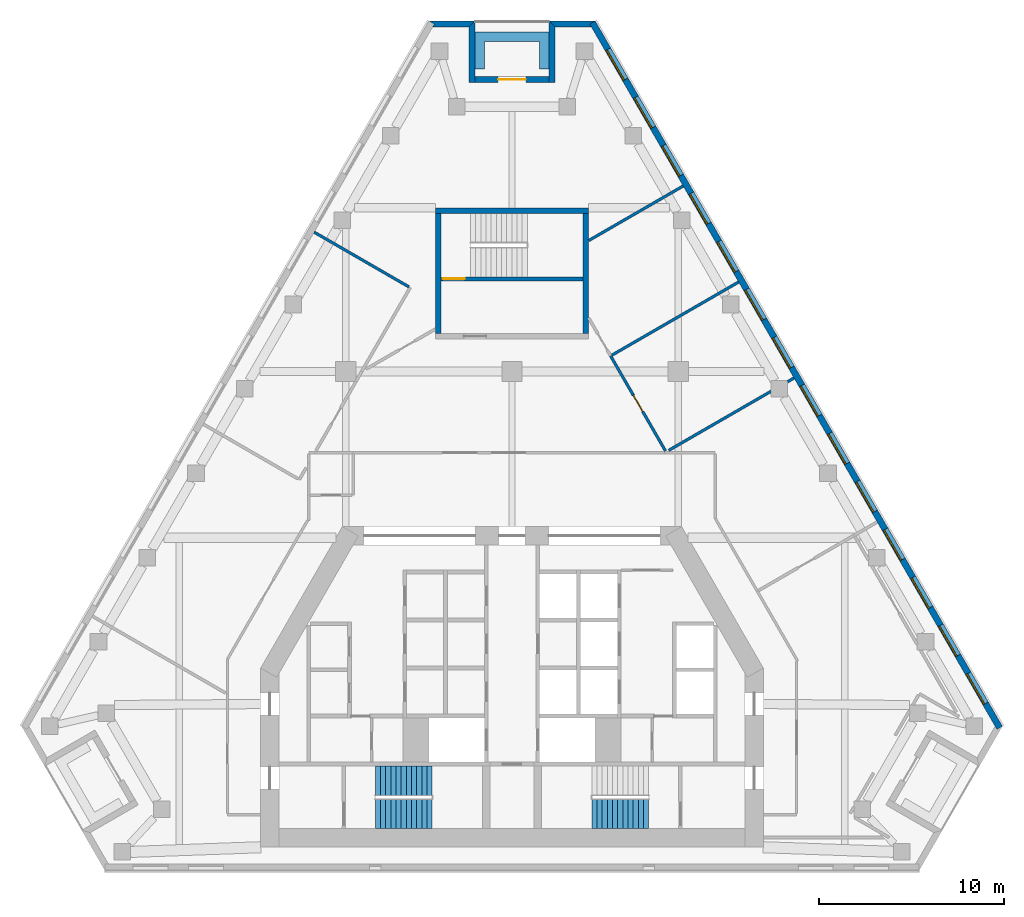
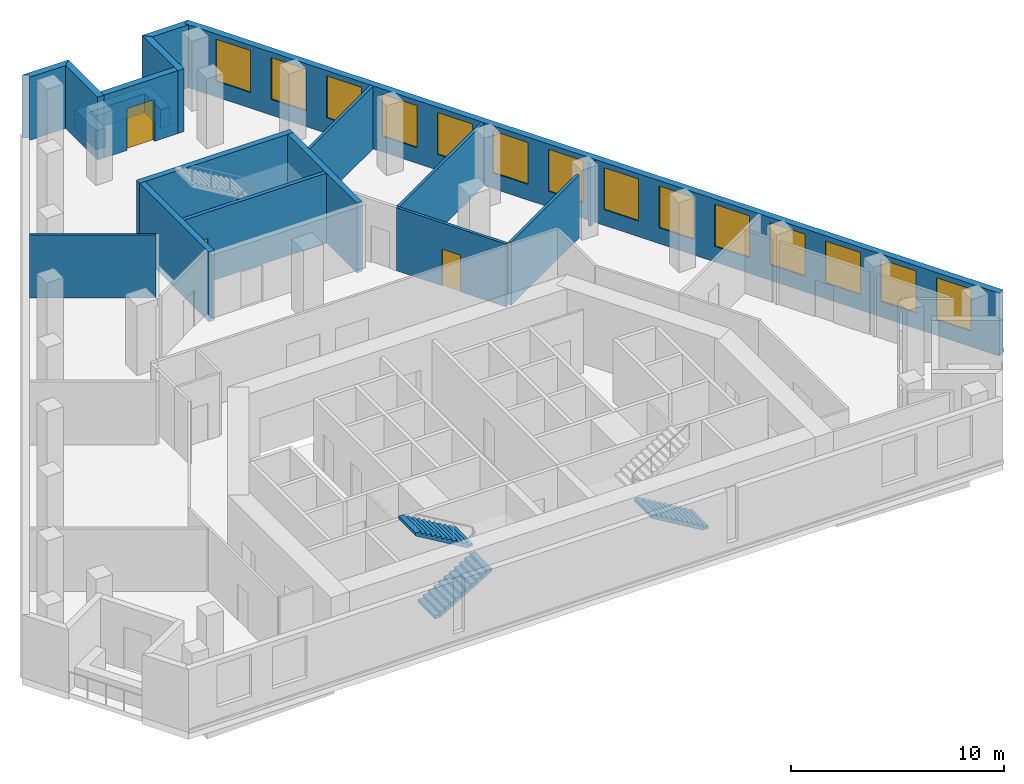
# One storey, part 6 of 8: 17 walls, 14 windows, 3 doors, 3 stair flights, 17 openings, 2 elements without a shape of their own.
"""IFC4 building model written with IfcOpenShell, lengths in metres."""

import ifcopenshell
import ifcopenshell.guid

model = None  # the IFC model being written
_history = None  # IfcOwnerHistory: only IFC2X3 demands one
_inside = {}  # id of a spatial element -> (the spatial element, [elements in it])
_under = {}  # id of a project, library or spatial element -> (it, [spatial elements below it])
_declared = {}  # id of a project -> (the project, [libraries it declares])
_typed = {}  # id of a type object -> (the type object, [elements of that type])
_made_of = {}  # id of a material, layer set ... -> (it, [elements and type objects made of it])


def new_model(schema):
    """Start an empty IFC model of exactly this schema.

    Asked for "IFC4X3", IfcOpenShell would pick the latest addendum, in which some entities
    have other attributes; the version numbers below select the first issue.
    IFC2X3 requires an IfcOwnerHistory on every rooted entity: one is made here for all.
    """
    global model, _history
    if schema == "IFC4X3":
        model = ifcopenshell.file(schema_version=(4, 3, 0, 0))
    else:
        model = ifcopenshell.file(schema=schema)
    _inside.clear()
    _under.clear()
    _declared.clear()
    _typed.clear()
    _made_of.clear()
    _history = None
    if model.schema == "IFC2X3":
        org = make("IfcOrganization", Name="unknown")
        user = make(
            "IfcPersonAndOrganization",
            ThePerson=make("IfcPerson", FamilyName="unknown"),
            TheOrganization=org,
        )
        app = make(
            "IfcApplication",
            ApplicationDeveloper=org,
            Version="unknown",
            ApplicationFullName="unknown",
            ApplicationIdentifier="unknown",
        )
        _history = make(
            "IfcOwnerHistory",
            OwningUser=user,
            OwningApplication=app,
            ChangeAction="ADDED",
            CreationDate=0,
        )
    return model


def make(cls, **values):
    """One entity of the class cls with the attributes given. An attribute that is None is left unset."""
    return model.create_entity(
        cls, **{name: value for name, value in values.items() if value is not None}
    )


def rooted(cls, **values):
    """An entity with a GlobalId (a new one), such as an element, a storey or a relation."""
    return make(cls, GlobalId=ifcopenshell.guid.new(), OwnerHistory=_history, **values)


def si_unit(unit_type, name, prefix=None):
    """IfcSIUnit, for example si_unit("LENGTHUNIT", "METRE", prefix="MILLI")."""
    return make("IfcSIUnit", UnitType=unit_type, Prefix=prefix, Name=name)


def assignment(units):
    """IfcUnitAssignment: the units of a project."""
    return None if units is None else make("IfcUnitAssignment", Units=units)


def point(xyz):
    """IfcCartesianPoint."""
    return None if xyz is None else make("IfcCartesianPoint", Coordinates=xyz)


def direction(xyz):
    """IfcDirection."""
    return None if xyz is None else make("IfcDirection", DirectionRatios=xyz)


def frame(location, z_axis=None, x_axis=None):
    """IfcAxis2Placement3D, a coordinate frame: its origin and axes. An axis left out is left unset."""
    return make(
        "IfcAxis2Placement3D",
        Location=point(location),
        Axis=direction(z_axis),
        RefDirection=direction(x_axis),
    )


def frame_2d(location, x_axis=None):
    """IfcAxis2Placement2D, a coordinate frame in the plane: its origin and x axis."""
    return make(
        "IfcAxis2Placement2D", Location=point(location), RefDirection=direction(x_axis)
    )


def origin():
    """The frame at (0, 0, 0) with its axes left unset."""
    return frame((0.0, 0.0, 0.0))


def place(relative_to, where):
    """IfcLocalPlacement: puts the frame where relative to a parent placement (None: the world)."""
    return make(
        "IfcLocalPlacement", PlacementRelTo=relative_to, RelativePlacement=where
    )


def context(
    kind, dimensions, precision=None, world=None, true_north=None, identifier=None
):
    """IfcGeometricRepresentationContext, for example the 3D "Model" context."""
    return make(
        "IfcGeometricRepresentationContext",
        ContextIdentifier=identifier,
        ContextType=kind,
        CoordinateSpaceDimension=dimensions,
        Precision=precision,
        WorldCoordinateSystem=world,
        TrueNorth=true_north,
    )


def subcontext(parent, identifier, kind, view, scale=None):
    """IfcGeometricRepresentationSubContext, for example "Body" below "Model"."""
    return make(
        "IfcGeometricRepresentationSubContext",
        ContextIdentifier=identifier,
        ContextType=kind,
        ParentContext=parent,
        TargetScale=scale,
        TargetView=view,
    )


def project(units=None, contexts=None):
    """IfcProject with its units and contexts."""
    return rooted(
        "IfcProject",
        Name="project",
        RepresentationContexts=contexts,
        UnitsInContext=assignment(units),
    )


def spatial(cls, under=None, at=None, **own):
    """A site, building, storey or space (cls), placed at a placement, below another one or the project."""
    s = rooted(cls, ObjectPlacement=at, **own)
    if under is not None:
        _under.setdefault(under.id(), (under, []))[1].append(s)
    return s


def polyline(points):
    """IfcPolyline through the points."""
    return make("IfcPolyline", Points=[point(p) for p in points])


def profile(cls, at=None, kind="AREA", **sizes):
    """A parametric profile (cls). Its sizes go by their IFC names, for example OverallWidth=200.0."""
    return make(cls, ProfileType=kind, Position=at, **sizes)


def rectangle(**sizes):
    """IfcRectangleProfileDef."""
    return profile("IfcRectangleProfileDef", **sizes)


def outline(outer, holes=None, kind="AREA"):
    """IfcArbitraryClosedProfileDef: a profile drawn as a closed curve; with holes, ...WithVoids."""
    if holes is None:
        return make("IfcArbitraryClosedProfileDef", ProfileType=kind, OuterCurve=outer)
    return make(
        "IfcArbitraryProfileDefWithVoids",
        ProfileType=kind,
        OuterCurve=outer,
        InnerCurves=holes,
    )


def extrude(swept, where, along, depth):
    """IfcExtrudedAreaSolid: the profile swept, set in the frame where, extruded along a direction by depth."""
    return make(
        "IfcExtrudedAreaSolid",
        SweptArea=swept,
        Position=where,
        ExtrudedDirection=direction(along),
        Depth=depth,
    )


def shape(context_of_items, identifier, shape_type, items):
    """IfcShapeRepresentation: the items that make up one representation, for example the "Body"."""
    return make(
        "IfcShapeRepresentation",
        ContextOfItems=context_of_items,
        RepresentationIdentifier=identifier,
        RepresentationType=shape_type,
        Items=items,
    )


def material(Name=None, Category=None):
    """IfcMaterial."""
    return make("IfcMaterial", Name=Name, Category=Category)


def layer(
    of_material, thickness, ventilated=None, Name=None, Category=None, Priority=None
):
    """IfcMaterialLayer: one layer of a wall or slab, of a material (None: an air gap)."""
    return make(
        "IfcMaterialLayer",
        Material=of_material,
        LayerThickness=thickness,
        IsVentilated=ventilated,
        Name=Name,
        Category=Category,
        Priority=Priority,
    )


def layer_set(layers, Name=None):
    """IfcMaterialLayerSet."""
    return make("IfcMaterialLayerSet", MaterialLayers=layers, LayerSetName=Name)


def made_of(thing, what):
    """Note that an element or type object is made of a material, layer set ...; save() writes the relation."""
    if what is not None:
        _made_of.setdefault(what.id(), (what, []))[1].append(thing)
    return thing


def type_object(cls, material=None, **own):
    """A type object (cls), such as IfcWallType, which elements share."""
    return made_of(rooted(cls, **own), material)


def element(
    cls,
    number,
    at=None,
    inside=None,
    cuts=None,
    type_object=None,
    material=None,
    context=None,
    identifier="Body",
    shape_type=None,
    held_by="IfcProductDefinitionShape",
    body=None,
    shapes=None,
    **own,
):
    """One element of the class cls, such as IfcWall. Its Tag is "e" and its number.

    at: its placement. inside: the storey or other place that contains it. cuts: it is an
    opening in that element (IfcRelVoidsElement). A single representation is given by context,
    identifier, shape_type and body (its items); several are given by shapes. held_by: the class
    of the entity that holds the representations. save() writes the other relations.
    """
    e = rooted(cls, Tag="e%d" % number, ObjectPlacement=at, **own)
    if body is not None:
        shapes = [shape(context, identifier, shape_type, body)]
    if shapes is not None:
        e.Representation = make(held_by, Representations=shapes)
    if inside is not None:
        _inside.setdefault(inside.id(), (inside, []))[1].append(e)
    if cuts is not None:
        rooted(
            "IfcRelVoidsElement", RelatingBuildingElement=cuts, RelatedOpeningElement=e
        )
    if type_object is not None:
        _typed.setdefault(type_object.id(), (type_object, []))[1].append(e)
    return made_of(e, material)


def fill(opening, filler):
    """IfcRelFillsElement: the door or window that sits in an opening."""
    return rooted(
        "IfcRelFillsElement",
        RelatingOpeningElement=opening,
        RelatedBuildingElement=filler,
    )


def aggregate(whole, parts):
    """IfcRelAggregates: a whole, such as a stair, and the parts it consists of."""
    return rooted("IfcRelAggregates", RelatingObject=whole, RelatedObjects=parts)


def save(model, path):
    """Write the relations noted so far, then the file.

    IfcRelAggregates (storeys below a building ...), IfcRelContainedInSpatialStructure (elements
    in a storey), IfcRelDefinesByType, IfcRelAssociatesMaterial and IfcRelDeclares: one each for
    every whole, place, type object, material and project.
    """
    for whole, parts in _under.values():
        aggregate(whole, parts)
    for where, things in _inside.values():
        rooted(
            "IfcRelContainedInSpatialStructure",
            RelatedElements=things,
            RelatingStructure=where,
        )
    for kind, things in _typed.values():
        rooted("IfcRelDefinesByType", RelatedObjects=things, RelatingType=kind)
    for what, things in _made_of.values():
        rooted("IfcRelAssociatesMaterial", RelatedObjects=things, RelatingMaterial=what)
    for by, libraries in _declared.values():
        rooted("IfcRelDeclares", RelatingContext=by, RelatedDefinitions=libraries)
    model.write(path)


model = new_model("IFC4")

# Units and contexts
model_context = context("Model", 3, precision=1e-05, world=origin(), true_north=direction((0.0, 1.0)))
body_context = subcontext(model_context, "Body", "Model", "MODEL_VIEW")
ifc_project = project(units=[si_unit("LENGTHUNIT", "METRE"), si_unit("AREAUNIT", "SQUARE_METRE"), si_unit("VOLUMEUNIT", "CUBIC_METRE"), si_unit("PLANEANGLEUNIT", "RADIAN"), si_unit("MASSUNIT", "GRAM", prefix="KILO")], contexts=[model_context])

# Site, building, storey
site_placement = place(None, origin())
site = spatial("IfcSite", under=ifc_project, at=site_placement, CompositionType="ELEMENT")
building_placement = place(site_placement, origin())
building = spatial("IfcBuilding", under=site, at=building_placement, Name="Fogline Exchange Tower", CompositionType="ELEMENT")
storey_placement = place(building_placement, frame((0.0, 0.0, 235.5)))
storey = spatial("IfcBuildingStorey", under=building, at=storey_placement, Name="L53", CompositionType="ELEMENT", Elevation=235.5)

# Wall, opening, door
ifc_material_1 = material(Name="Concrete C40", Category="concrete")
ifc_layer_1 = layer(ifc_material_1, 0.199951171875)
ifc_layer_set_1 = layer_set([ifc_layer_1], Name="CW20R")
wall_type_1 = type_object("IfcWallType", Name="CW20R", PredefinedType="SOLIDWALL", material=ifc_layer_set_1)
wall_1_placement = place(storey_placement, frame((-3.85009765625, 32.007080078125, -0.39990234375), z_axis=(0.0, 0.0, 1.0), x_axis=(1.0, 0.0, 0.0)))
wall_1 = element("IfcWall", 1, at=wall_1_placement, inside=storey, type_object=wall_type_1, Name="Stair enclosure wall ST3", PredefinedType="SOLIDWALL", context=body_context, shape_type="SweptSolid", body=[
    extrude(rectangle(XDim=7.7001953125, YDim=0.199951171875, at=frame_2d((3.85009765625, 0.0))), origin(), (0.0, 0.0, 1.0), 4.0),
])
opening_1_placement = place(wall_1_placement, frame((0.10009765625, 0.0, 0.39990234375)))
opening_1 = element("IfcOpeningElement", 2, at=opening_1_placement, cuts=wall_1, Name="Opening T17-C026", PredefinedType="OPENING", context=body_context, shape_type="SweptSolid", body=[
    extrude(rectangle(XDim=1.199951171875, YDim=2.10009765625, at=frame_2d((0.60009765625, 1.050048828125))), frame((0.0, 0.10986328125, 0.0), z_axis=(0.0, -1.0, 0.0), x_axis=(1.0, 0.0, 0.0)), (0.0, 0.0, 1.0), 0.219970703125),
])
ifc_material_2 = material(Name="Steel and timber fire door", Category="steel")
door_type_1 = type_object("IfcDoorType", Name="D-ST1", OperationType="SINGLE_SWING_LEFT", PredefinedType="DOOR", material=ifc_material_2)
door_1_placement = place(opening_1_placement, origin())
door_1 = element("IfcDoor", 3, at=door_1_placement, inside=storey, type_object=door_type_1, Name="Stair door ST3", OperationType="SINGLE_SWING_LEFT", OverallHeight=2.10009765625, OverallWidth=1.199951171875, PredefinedType="DOOR", context=body_context, shape_type="SweptSolid", body=[
    extrude(rectangle(XDim=1.199951171875, YDim=2.10009765625, at=frame_2d((0.60009765625, 1.050048828125))), frame((0.0, 0.02490234375, 0.0), z_axis=(0.0, -1.0, 0.0), x_axis=(1.0, 0.0, 0.0)), (0.0, 0.0, 1.0), 0.050048828125),
])
fill(opening_1, door_1)

# Walls
ifc_layer_2 = layer(ifc_material_1, 0.300048828125)
ifc_layer_set_2 = layer_set([ifc_layer_2], Name="CW30")
wall_type_2 = type_object("IfcWallType", Name="CW30", PredefinedType="SOLIDWALL", material=ifc_layer_set_2)
wall_2_placement = place(storey_placement, frame((-4.14990234375, 35.70703125, -0.39990234375), z_axis=(0.0, 0.0, 1.0), x_axis=(1.0, 0.0, 0.0)))
element("IfcWall", 4, at=wall_2_placement, inside=storey, type_object=wall_type_2, Name="Stair enclosure wall ST3", PredefinedType="SOLIDWALL", context=body_context, shape_type="SweptSolid", body=[
    extrude(rectangle(XDim=8.2998046875, YDim=0.300048828125, at=frame_2d((4.14990234375, 0.0))), origin(), (0.0, 0.0, 1.0), 4.0),
])
for number, where, z_axis, x_axis, name in (
    (5, (-4.0, 29.056884765625, -0.39990234375), (0.0, 0.0, 1.0), (0.0, 1.0, 0.0), "Stair enclosure wall ST3"),
    (6, (4.0, 29.056884765625, -0.39990234375), (0.0, 0.0, 1.0), (0.0, 1.0, 0.0), "Stair enclosure wall ST3"),
):
    element("IfcWall", number, at=place(storey_placement, frame(where, z_axis=z_axis, x_axis=x_axis)), inside=storey, type_object=wall_type_2, Name=name, PredefinedType="SOLIDWALL", context=body_context, shape_type="SweptSolid", body=[
        extrude(rectangle(XDim=6.5, YDim=0.300048828125, at=frame_2d((3.25, 0.0))), origin(), (0.0, 0.0, 1.0), 4.0),
    ])

# Wall, openings, windows
ifc_material_3 = material(Name="Brick masonry", Category="masonry")
ifc_layer_3 = layer(ifc_material_3, 0.340087890625)
ifc_layer_set_3 = layer_set([ifc_layer_3], Name="FW1")
wall_type_3 = type_object("IfcWallType", Name="FW1", PredefinedType="SOLIDWALL", material=ifc_layer_set_3)
wall_3_placement = place(storey_placement, frame((26.39453125, 7.709228515625, 0.0), z_axis=(0.0, 0.0, 1.0), x_axis=(-0.499999383836, 0.866025759527, 0.0)))
wall_3 = element("IfcWall", 7, at=wall_3_placement, inside=storey, type_object=wall_type_3, Name="Brick wall L53 E", PredefinedType="SOLIDWALL", context=body_context, shape_type="SweptSolid", body=[
    extrude(rectangle(XDim=44.08349609375, YDim=0.340087890625, at=frame_2d((22.041748046875, 0.0))), origin(), (0.0, 0.0, 1.0), 3.60009765625),
])
opening_2_placement = place(wall_3_placement, frame((1.520751953125, 0.0, 0.89990234375)))
opening_2 = element("IfcOpeningElement", 8, at=opening_2_placement, cuts=wall_3, Name="Opening W1", PredefinedType="OPENING", context=body_context, shape_type="SweptSolid", body=[
    extrude(rectangle(XDim=1.885009765625, YDim=2.39990234375, at=frame_2d((0.9423828125, 1.199951171875))), frame((0.0, 0.18017578125, 0.0), z_axis=(0.0, -1.0, 0.0), x_axis=(1.0, 0.0, 0.0)), (0.0, 0.0, 1.0), 0.360107421875),
])
opening_3_placement = place(wall_3_placement, frame((4.520751953125, 0.0, 0.89990234375)))
opening_3 = element("IfcOpeningElement", 9, at=opening_3_placement, cuts=wall_3, Name="Opening W1", PredefinedType="OPENING", context=body_context, shape_type="SweptSolid", body=[
    extrude(rectangle(XDim=1.885009765625, YDim=2.39990234375, at=frame_2d((0.9423828125, 1.199951171875))), frame((0.0, 0.18017578125, 0.0), z_axis=(0.0, -1.0, 0.0), x_axis=(1.0, 0.0, 0.0)), (0.0, 0.0, 1.0), 0.360107421875),
])
opening_4_placement = place(wall_3_placement, frame((7.520751953125, 0.0, 0.89990234375)))
opening_4 = element("IfcOpeningElement", 10, at=opening_4_placement, cuts=wall_3, Name="Opening W1", PredefinedType="OPENING", context=body_context, shape_type="SweptSolid", body=[
    extrude(rectangle(XDim=1.885009765625, YDim=2.39990234375, at=frame_2d((0.9423828125, 1.199951171875))), frame((0.0, 0.18017578125, 0.0), z_axis=(0.0, -1.0, 0.0), x_axis=(1.0, 0.0, 0.0)), (0.0, 0.0, 1.0), 0.360107421875),
])
opening_5_placement = place(wall_3_placement, frame((10.520751953125, 0.0, 0.89990234375)))
opening_5 = element("IfcOpeningElement", 11, at=opening_5_placement, cuts=wall_3, Name="Opening W1", PredefinedType="OPENING", context=body_context, shape_type="SweptSolid", body=[
    extrude(rectangle(XDim=1.885009765625, YDim=2.39990234375, at=frame_2d((0.9423828125, 1.199951171875))), frame((0.0, 0.18017578125, 0.0), z_axis=(0.0, -1.0, 0.0), x_axis=(1.0, 0.0, 0.0)), (0.0, 0.0, 1.0), 0.360107421875),
])
opening_6_placement = place(wall_3_placement, frame((13.520751953125, 0.0, 0.89990234375)))
opening_6 = element("IfcOpeningElement", 12, at=opening_6_placement, cuts=wall_3, Name="Opening W1", PredefinedType="OPENING", context=body_context, shape_type="SweptSolid", body=[
    extrude(rectangle(XDim=1.885009765625, YDim=2.39990234375, at=frame_2d((0.9423828125, 1.199951171875))), frame((0.0, 0.18017578125, 0.0), z_axis=(0.0, -1.0, 0.0), x_axis=(1.0, 0.0, 0.0)), (0.0, 0.0, 1.0), 0.360107421875),
])
opening_7_placement = place(wall_3_placement, frame((16.520751953125, 0.0, 0.89990234375)))
opening_7 = element("IfcOpeningElement", 13, at=opening_7_placement, cuts=wall_3, Name="Opening W1", PredefinedType="OPENING", context=body_context, shape_type="SweptSolid", body=[
    extrude(rectangle(XDim=1.885009765625, YDim=2.39990234375, at=frame_2d((0.9423828125, 1.199951171875))), frame((0.0, 0.18017578125, 0.0), z_axis=(0.0, -1.0, 0.0), x_axis=(1.0, 0.0, 0.0)), (0.0, 0.0, 1.0), 0.360107421875),
])
opening_8_placement = place(wall_3_placement, frame((19.520751953125, 0.0, 0.89990234375)))
opening_8 = element("IfcOpeningElement", 14, at=opening_8_placement, cuts=wall_3, Name="Opening W1", PredefinedType="OPENING", context=body_context, shape_type="SweptSolid", body=[
    extrude(rectangle(XDim=1.885009765625, YDim=2.39990234375, at=frame_2d((0.9423828125, 1.199951171875))), frame((0.0, 0.18017578125, 0.0), z_axis=(0.0, -1.0, 0.0), x_axis=(1.0, 0.0, 0.0)), (0.0, 0.0, 1.0), 0.360107421875),
])
opening_9_placement = place(wall_3_placement, frame((22.520751953125, 0.0, 0.89990234375)))
opening_9 = element("IfcOpeningElement", 15, at=opening_9_placement, cuts=wall_3, Name="Opening W1", PredefinedType="OPENING", context=body_context, shape_type="SweptSolid", body=[
    extrude(rectangle(XDim=1.885009765625, YDim=2.39990234375, at=frame_2d((0.9423828125, 1.199951171875))), frame((0.0, 0.18017578125, 0.0), z_axis=(0.0, -1.0, 0.0), x_axis=(1.0, 0.0, 0.0)), (0.0, 0.0, 1.0), 0.360107421875),
])
opening_10_placement = place(wall_3_placement, frame((25.520751953125, 0.0, 0.89990234375)))
opening_10 = element("IfcOpeningElement", 16, at=opening_10_placement, cuts=wall_3, Name="Opening W1", PredefinedType="OPENING", context=body_context, shape_type="SweptSolid", body=[
    extrude(rectangle(XDim=1.885009765625, YDim=2.39990234375, at=frame_2d((0.9423828125, 1.199951171875))), frame((0.0, 0.18017578125, 0.0), z_axis=(0.0, -1.0, 0.0), x_axis=(1.0, 0.0, 0.0)), (0.0, 0.0, 1.0), 0.360107421875),
])
opening_11_placement = place(wall_3_placement, frame((28.520751953125, 0.0, 0.89990234375)))
opening_11 = element("IfcOpeningElement", 17, at=opening_11_placement, cuts=wall_3, Name="Opening W1", PredefinedType="OPENING", context=body_context, shape_type="SweptSolid", body=[
    extrude(rectangle(XDim=1.885009765625, YDim=2.39990234375, at=frame_2d((0.9423828125, 1.199951171875))), frame((0.0, 0.18017578125, 0.0), z_axis=(0.0, -1.0, 0.0), x_axis=(1.0, 0.0, 0.0)), (0.0, 0.0, 1.0), 0.360107421875),
])
opening_12_placement = place(wall_3_placement, frame((31.520751953125, 0.0, 0.89990234375)))
opening_12 = element("IfcOpeningElement", 18, at=opening_12_placement, cuts=wall_3, Name="Opening W1", PredefinedType="OPENING", context=body_context, shape_type="SweptSolid", body=[
    extrude(rectangle(XDim=1.885009765625, YDim=2.39990234375, at=frame_2d((0.9423828125, 1.199951171875))), frame((0.0, 0.18017578125, 0.0), z_axis=(0.0, -1.0, 0.0), x_axis=(1.0, 0.0, 0.0)), (0.0, 0.0, 1.0), 0.360107421875),
])
opening_13_placement = place(wall_3_placement, frame((34.520751953125, 0.0, 0.89990234375)))
opening_13 = element("IfcOpeningElement", 19, at=opening_13_placement, cuts=wall_3, Name="Opening W1", PredefinedType="OPENING", context=body_context, shape_type="SweptSolid", body=[
    extrude(rectangle(XDim=1.885009765625, YDim=2.39990234375, at=frame_2d((0.9423828125, 1.199951171875))), frame((0.0, 0.18017578125, 0.0), z_axis=(0.0, -1.0, 0.0), x_axis=(1.0, 0.0, 0.0)), (0.0, 0.0, 1.0), 0.360107421875),
])
opening_14_placement = place(wall_3_placement, frame((37.520751953125, 0.0, 0.89990234375)))
opening_14 = element("IfcOpeningElement", 20, at=opening_14_placement, cuts=wall_3, Name="Opening W1", PredefinedType="OPENING", context=body_context, shape_type="SweptSolid", body=[
    extrude(rectangle(XDim=1.885009765625, YDim=2.39990234375, at=frame_2d((0.9423828125, 1.199951171875))), frame((0.0, 0.18017578125, 0.0), z_axis=(0.0, -1.0, 0.0), x_axis=(1.0, 0.0, 0.0)), (0.0, 0.0, 1.0), 0.360107421875),
])
opening_15_placement = place(wall_3_placement, frame((40.520751953125, 0.0, 0.89990234375)))
opening_15 = element("IfcOpeningElement", 21, at=opening_15_placement, cuts=wall_3, Name="Opening W1", PredefinedType="OPENING", context=body_context, shape_type="SweptSolid", body=[
    extrude(rectangle(XDim=1.885009765625, YDim=2.39990234375, at=frame_2d((0.9423828125, 1.199951171875))), frame((0.0, 0.18017578125, 0.0), z_axis=(0.0, -1.0, 0.0), x_axis=(1.0, 0.0, 0.0)), (0.0, 0.0, 1.0), 0.360107421875),
])
ifc_material_4 = material(Name="Aluminium and glass", Category="aluminium")
window_type = type_object("IfcWindowType", Name="W1", PartitioningType="SINGLE_PANEL", PredefinedType="WINDOW", material=ifc_material_4)
window_1_placement = place(opening_2_placement, origin())
window_1 = element("IfcWindow", 22, at=window_1_placement, inside=storey, type_object=window_type, Name="W1 W1", OverallHeight=2.39990234375, OverallWidth=1.885009765625, PartitioningType="SINGLE_PANEL", PredefinedType="WINDOW", context=body_context, shape_type="SweptSolid", body=[
    extrude(rectangle(XDim=1.885009765625, YDim=2.39990234375, at=frame_2d((0.9423828125, 1.199951171875))), frame((0.0, 0.110107421875, 0.0), z_axis=(0.0, -1.0, 0.0), x_axis=(1.0, 0.0, 0.0)), (0.0, 0.0, 1.0), 0.06005859375),
])
fill(opening_2, window_1)
window_2_placement = place(opening_3_placement, origin())
window_2 = element("IfcWindow", 23, at=window_2_placement, inside=storey, type_object=window_type, Name="W1 W1", OverallHeight=2.39990234375, OverallWidth=1.885009765625, PartitioningType="SINGLE_PANEL", PredefinedType="WINDOW", context=body_context, shape_type="SweptSolid", body=[
    extrude(rectangle(XDim=1.885009765625, YDim=2.39990234375, at=frame_2d((0.9423828125, 1.199951171875))), frame((0.0, 0.110107421875, 0.0), z_axis=(0.0, -1.0, 0.0), x_axis=(1.0, 0.0, 0.0)), (0.0, 0.0, 1.0), 0.06005859375),
])
fill(opening_3, window_2)
window_3_placement = place(opening_4_placement, origin())
window_3 = element("IfcWindow", 24, at=window_3_placement, inside=storey, type_object=window_type, Name="W1 W1", OverallHeight=2.39990234375, OverallWidth=1.885009765625, PartitioningType="SINGLE_PANEL", PredefinedType="WINDOW", context=body_context, shape_type="SweptSolid", body=[
    extrude(rectangle(XDim=1.885009765625, YDim=2.39990234375, at=frame_2d((0.9423828125, 1.199951171875))), frame((0.0, 0.110107421875, 0.0), z_axis=(0.0, -1.0, 0.0), x_axis=(1.0, 0.0, 0.0)), (0.0, 0.0, 1.0), 0.06005859375),
])
fill(opening_4, window_3)
window_4_placement = place(opening_5_placement, origin())
window_4 = element("IfcWindow", 25, at=window_4_placement, inside=storey, type_object=window_type, Name="W1 W1", OverallHeight=2.39990234375, OverallWidth=1.885009765625, PartitioningType="SINGLE_PANEL", PredefinedType="WINDOW", context=body_context, shape_type="SweptSolid", body=[
    extrude(rectangle(XDim=1.885009765625, YDim=2.39990234375, at=frame_2d((0.9423828125, 1.199951171875))), frame((0.0, 0.110107421875, 0.0), z_axis=(0.0, -1.0, 0.0), x_axis=(1.0, 0.0, 0.0)), (0.0, 0.0, 1.0), 0.06005859375),
])
fill(opening_5, window_4)
window_5_placement = place(opening_6_placement, origin())
window_5 = element("IfcWindow", 26, at=window_5_placement, inside=storey, type_object=window_type, Name="W1 W1", OverallHeight=2.39990234375, OverallWidth=1.885009765625, PartitioningType="SINGLE_PANEL", PredefinedType="WINDOW", context=body_context, shape_type="SweptSolid", body=[
    extrude(rectangle(XDim=1.885009765625, YDim=2.39990234375, at=frame_2d((0.9423828125, 1.199951171875))), frame((0.0, 0.110107421875, 0.0), z_axis=(0.0, -1.0, 0.0), x_axis=(1.0, 0.0, 0.0)), (0.0, 0.0, 1.0), 0.06005859375),
])
fill(opening_6, window_5)
window_6_placement = place(opening_7_placement, origin())
window_6 = element("IfcWindow", 27, at=window_6_placement, inside=storey, type_object=window_type, Name="W1 W1", OverallHeight=2.39990234375, OverallWidth=1.885009765625, PartitioningType="SINGLE_PANEL", PredefinedType="WINDOW", context=body_context, shape_type="SweptSolid", body=[
    extrude(rectangle(XDim=1.885009765625, YDim=2.39990234375, at=frame_2d((0.9423828125, 1.199951171875))), frame((0.0, 0.110107421875, 0.0), z_axis=(0.0, -1.0, 0.0), x_axis=(1.0, 0.0, 0.0)), (0.0, 0.0, 1.0), 0.06005859375),
])
fill(opening_7, window_6)
window_7_placement = place(opening_8_placement, origin())
window_7 = element("IfcWindow", 28, at=window_7_placement, inside=storey, type_object=window_type, Name="W1 W1", OverallHeight=2.39990234375, OverallWidth=1.885009765625, PartitioningType="SINGLE_PANEL", PredefinedType="WINDOW", context=body_context, shape_type="SweptSolid", body=[
    extrude(rectangle(XDim=1.885009765625, YDim=2.39990234375, at=frame_2d((0.9423828125, 1.199951171875))), frame((0.0, 0.110107421875, 0.0), z_axis=(0.0, -1.0, 0.0), x_axis=(1.0, 0.0, 0.0)), (0.0, 0.0, 1.0), 0.06005859375),
])
fill(opening_8, window_7)
window_8_placement = place(opening_9_placement, origin())
window_8 = element("IfcWindow", 29, at=window_8_placement, inside=storey, type_object=window_type, Name="W1 W1", OverallHeight=2.39990234375, OverallWidth=1.885009765625, PartitioningType="SINGLE_PANEL", PredefinedType="WINDOW", context=body_context, shape_type="SweptSolid", body=[
    extrude(rectangle(XDim=1.885009765625, YDim=2.39990234375, at=frame_2d((0.9423828125, 1.199951171875))), frame((0.0, 0.110107421875, 0.0), z_axis=(0.0, -1.0, 0.0), x_axis=(1.0, 0.0, 0.0)), (0.0, 0.0, 1.0), 0.06005859375),
])
fill(opening_9, window_8)
window_9_placement = place(opening_10_placement, origin())
window_9 = element("IfcWindow", 30, at=window_9_placement, inside=storey, type_object=window_type, Name="W1 W1", OverallHeight=2.39990234375, OverallWidth=1.885009765625, PartitioningType="SINGLE_PANEL", PredefinedType="WINDOW", context=body_context, shape_type="SweptSolid", body=[
    extrude(rectangle(XDim=1.885009765625, YDim=2.39990234375, at=frame_2d((0.9423828125, 1.199951171875))), frame((0.0, 0.110107421875, 0.0), z_axis=(0.0, -1.0, 0.0), x_axis=(1.0, 0.0, 0.0)), (0.0, 0.0, 1.0), 0.06005859375),
])
fill(opening_10, window_9)
window_10_placement = place(opening_11_placement, origin())
window_10 = element("IfcWindow", 31, at=window_10_placement, inside=storey, type_object=window_type, Name="W1 W1", OverallHeight=2.39990234375, OverallWidth=1.885009765625, PartitioningType="SINGLE_PANEL", PredefinedType="WINDOW", context=body_context, shape_type="SweptSolid", body=[
    extrude(rectangle(XDim=1.885009765625, YDim=2.39990234375, at=frame_2d((0.9423828125, 1.199951171875))), frame((0.0, 0.110107421875, 0.0), z_axis=(0.0, -1.0, 0.0), x_axis=(1.0, 0.0, 0.0)), (0.0, 0.0, 1.0), 0.06005859375),
])
fill(opening_11, window_10)
window_11_placement = place(opening_12_placement, origin())
window_11 = element("IfcWindow", 32, at=window_11_placement, inside=storey, type_object=window_type, Name="W1 W1", OverallHeight=2.39990234375, OverallWidth=1.885009765625, PartitioningType="SINGLE_PANEL", PredefinedType="WINDOW", context=body_context, shape_type="SweptSolid", body=[
    extrude(rectangle(XDim=1.885009765625, YDim=2.39990234375, at=frame_2d((0.9423828125, 1.199951171875))), frame((0.0, 0.110107421875, 0.0), z_axis=(0.0, -1.0, 0.0), x_axis=(1.0, 0.0, 0.0)), (0.0, 0.0, 1.0), 0.06005859375),
])
fill(opening_12, window_11)
window_12_placement = place(opening_13_placement, origin())
window_12 = element("IfcWindow", 33, at=window_12_placement, inside=storey, type_object=window_type, Name="W1 W1", OverallHeight=2.39990234375, OverallWidth=1.885009765625, PartitioningType="SINGLE_PANEL", PredefinedType="WINDOW", context=body_context, shape_type="SweptSolid", body=[
    extrude(rectangle(XDim=1.885009765625, YDim=2.39990234375, at=frame_2d((0.9423828125, 1.199951171875))), frame((0.0, 0.110107421875, 0.0), z_axis=(0.0, -1.0, 0.0), x_axis=(1.0, 0.0, 0.0)), (0.0, 0.0, 1.0), 0.06005859375),
])
fill(opening_13, window_12)
window_13_placement = place(opening_14_placement, origin())
window_13 = element("IfcWindow", 34, at=window_13_placement, inside=storey, type_object=window_type, Name="W1 W1", OverallHeight=2.39990234375, OverallWidth=1.885009765625, PartitioningType="SINGLE_PANEL", PredefinedType="WINDOW", context=body_context, shape_type="SweptSolid", body=[
    extrude(rectangle(XDim=1.885009765625, YDim=2.39990234375, at=frame_2d((0.9423828125, 1.199951171875))), frame((0.0, 0.110107421875, 0.0), z_axis=(0.0, -1.0, 0.0), x_axis=(1.0, 0.0, 0.0)), (0.0, 0.0, 1.0), 0.06005859375),
])
fill(opening_14, window_13)
window_14_placement = place(opening_15_placement, origin())
window_14 = element("IfcWindow", 35, at=window_14_placement, inside=storey, type_object=window_type, Name="W1 W1", OverallHeight=2.39990234375, OverallWidth=1.885009765625, PartitioningType="SINGLE_PANEL", PredefinedType="WINDOW", context=body_context, shape_type="SweptSolid", body=[
    extrude(rectangle(XDim=1.885009765625, YDim=2.39990234375, at=frame_2d((0.9423828125, 1.199951171875))), frame((0.0, 0.110107421875, 0.0), z_axis=(0.0, -1.0, 0.0), x_axis=(1.0, 0.0, 0.0)), (0.0, 0.0, 1.0), 0.06005859375),
])
fill(opening_15, window_14)

# Walls
wall_4_placement = place(storey_placement, origin())
element("IfcWall", 36, at=wall_4_placement, inside=storey, type_object=wall_type_3, Name="Brick wall L53 N-c1", PredefinedType="SOLIDWALL", context=body_context, shape_type="SweptSolid", body=[
    extrude(outline(polyline([(1.9990234375, 45.97216796875), (4.5009765625, 45.97216796875), (4.501220703125, 45.9716796875), (4.206298828125, 45.801513671875), (4.3046875, 45.631103515625), (2.33984375, 45.631103515625), (1.998779296875, 45.971923828125), (1.9990234375, 45.97216796875)])), origin(), (0.0, 0.0, 1.0), 3.60009765625),
])
wall_5_placement = place(storey_placement, origin())
element("IfcWall", 37, at=wall_5_placement, inside=storey, type_object=wall_type_3, Name="Brick wall L53 N-s1", PredefinedType="SOLIDWALL", context=body_context, shape_type="SweptSolid", body=[
    extrude(outline(polyline([(2.340576171875, 42.631103515625), (1.99951171875, 42.631103515625), (1.99951171875, 45.97265625), (1.999755859375, 45.972900390625), (2.340576171875, 45.6318359375), (2.340576171875, 42.631103515625)])), origin(), (0.0, 0.0, 1.0), 3.60009765625),
])

# Wall, opening, door
wall_6_placement = place(storey_placement, frame((2.0, 42.8017578125, 0.0), z_axis=(0.0, 0.0, 1.0), x_axis=(-1.0, 0.0, 0.0)))
wall_6 = element("IfcWall", 38, at=wall_6_placement, inside=storey, type_object=wall_type_3, Name="Brick wall L53 N-bk", PredefinedType="SOLIDWALL", context=body_context, shape_type="SweptSolid", body=[
    extrude(rectangle(XDim=4.0, YDim=0.340087890625, at=frame_2d((2.0, 0.0))), origin(), (0.0, 0.0, 1.0), 3.60009765625),
])
opening_16_placement = place(wall_6_placement, frame((1.25, 0.0, 0.0)))
opening_16 = element("IfcOpeningElement", 39, at=opening_16_placement, cuts=wall_6, Name="Opening T17-E141", PredefinedType="OPENING", context=body_context, shape_type="SweptSolid", body=[
    extrude(rectangle(XDim=1.5, YDim=2.39990234375, at=frame_2d((0.75, 1.199951171875))), frame((0.0, 0.18017578125, 0.0), z_axis=(0.0, -1.0, 0.0), x_axis=(1.0, 0.0, 0.0)), (0.0, 0.0, 1.0), 0.360107421875),
])
door_type_2 = type_object("IfcDoorType", Name="ED4", OperationType="SINGLE_SWING_LEFT", PredefinedType="DOOR", material=ifc_material_4)
door_2_placement = place(opening_16_placement, frame((1.5, 0.0, 0.0), z_axis=(0.0, 0.0, 1.0), x_axis=(-1.0, 0.0, 0.0)))
door_2 = element("IfcDoor", 40, at=door_2_placement, inside=storey, type_object=door_type_2, Name="Balcony door L53 N", OperationType="DOUBLE_DOOR_SINGLE_SWING", OverallHeight=2.39990234375, OverallWidth=1.5, PredefinedType="DOOR", context=body_context, shape_type="SweptSolid", body=[
    extrude(rectangle(XDim=1.5, YDim=2.39990234375, at=frame_2d((0.75, 1.199951171875))), frame((0.0, 0.02490234375, 0.0), z_axis=(0.0, -1.0, 0.0), x_axis=(1.0, 0.0, 0.0)), (0.0, 0.0, 1.0), 0.050048828125),
])
fill(opening_16, door_2)

# Walls
wall_7_placement = place(storey_placement, origin())
element("IfcWall", 41, at=wall_7_placement, inside=storey, type_object=wall_type_3, Name="Brick wall L53 N-s2", PredefinedType="SOLIDWALL", context=body_context, shape_type="SweptSolid", body=[
    extrude(outline(polyline([(-1.99951171875, 45.97265625), (-1.99951171875, 42.631103515625), (-2.340576171875, 42.631103515625), (-2.340576171875, 45.6318359375), (-1.999755859375, 45.972900390625), (-1.99951171875, 45.97265625)])), origin(), (0.0, 0.0, 1.0), 3.60009765625),
])
wall_8_placement = place(storey_placement, origin())
element("IfcWall", 42, at=wall_8_placement, inside=storey, type_object=wall_type_3, Name="Brick wall L53 N-c2", PredefinedType="SOLIDWALL", context=body_context, shape_type="SweptSolid", body=[
    extrude(outline(polyline([(-4.3046875, 45.631103515625), (-4.206298828125, 45.801513671875), (-4.501220703125, 45.9716796875), (-4.5009765625, 45.97216796875), (-1.9990234375, 45.97216796875), (-1.998779296875, 45.971923828125), (-2.33984375, 45.631103515625), (-4.3046875, 45.631103515625)])), origin(), (0.0, 0.0, 1.0), 3.60009765625),
])
ifc_material_5 = material(Name="Concrete C30", Category="concrete")
ifc_layer_4 = layer(ifc_material_5, 0.199951171875)
ifc_layer_set_4 = layer_set([ifc_layer_4], Name="PL1")
wall_type_4 = type_object("IfcWallType", Name="PL1", PredefinedType="USERDEFINED", material=ifc_layer_set_4)
wall_9_placement = place(storey_placement, origin())
element("IfcWall", 43, at=wall_9_placement, inside=storey, type_object=wall_type_4, Name="PLANTER balcony L53 N", ObjectType="PLANTER", PredefinedType="USERDEFINED", context=body_context, shape_type="SweptSolid", body=[
    extrude(outline(polyline([(-1.5, 45.37158203125), (-2.0, 45.37158203125), (-2.0, 44.87158203125), (-2.0, 43.37158203125), (-1.5, 43.37158203125), (-1.5, 44.87158203125), (1.5, 44.87158203125), (1.5, 43.37158203125), (2.0, 43.37158203125), (2.0, 44.87158203125), (2.0, 45.37158203125), (1.5, 45.37158203125), (-1.5, 45.37158203125)])), origin(), (0.0, 0.0, 1.0), 1.10009765625),
])
ifc_material_6 = material(Name="Plasterboard demising partition with mineral wool and acoustic board")
ifc_layer_5 = layer(ifc_material_6, 0.14990234375)
ifc_layer_set_5 = layer_set([ifc_layer_5], Name="PW3")
wall_type_5 = type_object("IfcWallType", Name="PW3", PredefinedType="PARTITIONING", material=ifc_layer_set_5)
wall_10_placement = place(storey_placement, frame((8.48046875, 22.727783203125, 0.0), z_axis=(0.0, 0.0, 1.0), x_axis=(0.86602855878, 0.499994535347, 0.0)))
element("IfcWall", 44, at=wall_10_placement, inside=storey, type_object=wall_type_5, Name="wall-L53-W015", PredefinedType="PARTITIONING", context=body_context, shape_type="SweptSolid", body=[
    extrude(rectangle(XDim=6.39501953125, YDim=0.14990234375, at=frame_2d((3.197509765625, 0.0))), origin(), (0.0, 0.0, 1.0), 3.60009765625),
])
wall_11_placement = place(storey_placement, frame((14.918701171875, 26.44482421875, 0.0), z_axis=(0.0, 0.0, 1.0), x_axis=(0.866134844219, 0.499810395679, 0.0)))
element("IfcWall", 45, at=wall_11_placement, inside=storey, type_object=wall_type_5, Name="wall-L53-W016", PredefinedType="PARTITIONING", context=body_context, shape_type="SweptSolid", body=[
    extrude(rectangle(XDim=0.400634765625, YDim=0.14990234375, at=frame_2d((0.2001953125, 0.0))), origin(), (0.0, 0.0, 1.0), 3.60009765625),
])
wall_12_placement = place(storey_placement, frame((5.40234375, 27.878662109375, 0.0), z_axis=(0.0, 0.0, 1.0), x_axis=(0.866018344059, 0.500012227604, 0.0)))
element("IfcWall", 46, at=wall_12_placement, inside=storey, type_object=wall_type_5, Name="wall-L53-W019", PredefinedType="PARTITIONING", context=body_context, shape_type="SweptSolid", body=[
    extrude(rectangle(XDim=7.925048828125, YDim=0.14990234375, at=frame_2d((3.96240234375, 0.0))), origin(), (0.0, 0.0, 1.0), 3.60009765625),
])

# Wall, opening, door
wall_13_placement = place(storey_placement, frame((8.305419921875, 22.700439453125, 0.0), z_axis=(0.0, 0.0, 1.0), x_axis=(-0.499991837581, 0.866030116308, 0.0)))
wall_13 = element("IfcWall", 47, at=wall_13_placement, inside=storey, type_object=wall_type_5, Name="wall-L53-W020", PredefinedType="PARTITIONING", context=body_context, shape_type="SweptSolid", body=[
    extrude(rectangle(XDim=5.93603515625, YDim=0.14990234375, at=frame_2d((2.968017578125, 0.0))), origin(), (0.0, 0.0, 1.0), 3.60009765625),
])
opening_17_placement = place(wall_13_placement, frame((2.468017578125, 0.0, 0.0)))
opening_17 = element("IfcOpeningElement", 48, at=opening_17_placement, cuts=wall_13, Name="Opening T17-D008", PredefinedType="OPENING", context=body_context, shape_type="SweptSolid", body=[
    extrude(rectangle(XDim=1.0, YDim=2.10009765625, at=frame_2d((0.5, 1.050048828125))), frame((0.0, 0.0849609375, 0.0), z_axis=(0.0, -1.0, 0.0), x_axis=(1.0, 0.0, 0.0)), (0.0, 0.0, 1.0), 0.169921875),
])
ifc_material_7 = material(Name="Fire-rated timber door leaf with steel frame", Category="steel")
door_type_3 = type_object("IfcDoorType", Name="D3", OperationType="SINGLE_SWING_LEFT", PredefinedType="DOOR", material=ifc_material_7)
door_3_placement = place(opening_17_placement, frame((1.0, 0.0, 0.0), z_axis=(0.0, 0.0, 1.0), x_axis=(-1.0, 0.0, 0.0)))
door_3 = element("IfcDoor", 49, at=door_3_placement, inside=storey, type_object=door_type_3, Name="door-L53-D008", OperationType="SINGLE_SWING_RIGHT", OverallHeight=2.10009765625, OverallWidth=1.0, PredefinedType="DOOR", context=body_context, shape_type="SweptSolid", body=[
    extrude(rectangle(XDim=1.0, YDim=2.10009765625, at=frame_2d((0.5, 1.050048828125))), frame((0.0, 0.02490234375, 0.0), z_axis=(0.0, -1.0, 0.0), x_axis=(1.0, 0.0, 0.0)), (0.0, 0.0, 1.0), 0.050048828125),
])
fill(opening_17, door_3)

# Walls
wall_14_placement = place(storey_placement, frame((4.14990234375, 34.083984375, 0.0), z_axis=(0.0, 0.0, 1.0), x_axis=(0.866039676728, 0.499975277722, 0.0)))
element("IfcWall", 50, at=wall_14_placement, inside=storey, type_object=wall_type_5, Name="wall-L53-W021", PredefinedType="PARTITIONING", context=body_context, shape_type="SweptSolid", body=[
    extrude(rectangle(XDim=5.906982421875, YDim=0.14990234375, at=frame_2d((2.95361328125, 0.0))), origin(), (0.0, 0.0, 1.0), 3.60009765625),
])
wall_15_placement = place(storey_placement, frame((-5.576904296875, 31.576416015625, 0.0), z_axis=(0.0, 0.0, 1.0), x_axis=(-0.866028447878, 0.499994727438, 0.0)))
element("IfcWall", 51, at=wall_15_placement, inside=storey, type_object=wall_type_5, Name="wall-L53-W025", PredefinedType="PARTITIONING", context=body_context, shape_type="SweptSolid", body=[
    extrude(rectangle(XDim=5.9248046875, YDim=0.14990234375, at=frame_2d((2.96240234375, 0.0))), origin(), (0.0, 0.0, 1.0), 3.60009765625),
])

# Stair, stair flights
stair_type = type_object("IfcStairType", Name="STR24-1667", PredefinedType="HALF_TURN_STAIR", material=ifc_material_1)
stair_1_placement = place(storey_placement, origin())
stair_1 = element("IfcStair", 52, at=stair_1_placement, inside=storey, type_object=stair_type, Name="Stair ST1", PredefinedType="HALF_TURN_STAIR")
stair_flight_type = type_object("IfcStairFlightType", Name="SF12-1667", PredefinedType="STRAIGHT", material=ifc_material_1)
stair_flight_1_placement = place(storey_placement, frame((-7.39990234375, 3.050048828125, 0.0), z_axis=(0.0, 0.0, 1.0), x_axis=(1.0, 0.0, 0.0)))
stair_flight_1 = element("IfcStairFlight", 53, at=stair_flight_1_placement, type_object=stair_flight_type, Name="ST1 flight 1", NumberOfRisers=12, NumberOfTreads=11, PredefinedType="STRAIGHT", RiserHeight=0.166666667, TreadLength=0.28, context=body_context, shape_type="SweptSolid", body=[
    extrude(outline(polyline([(0.0, 0.0), (0.0, 0.166748046875), (0.280029296875, 0.166748046875), (0.280029296875, 0.333251953125), (0.56005859375, 0.333251953125), (0.56005859375, 0.5), (0.840087890625, 0.5), (0.840087890625, 0.666748046875), (1.1201171875, 0.666748046875), (1.1201171875, 0.833251953125), (1.39990234375, 0.833251953125), (1.39990234375, 1.0), (1.679931640625, 1.0), (1.679931640625, 1.166748046875), (1.9599609375, 1.166748046875), (1.9599609375, 1.333251953125), (2.239990234375, 1.333251953125), (2.239990234375, 1.5), (2.52001953125, 1.5), (2.52001953125, 1.666748046875), (2.800048828125, 1.666748046875), (2.800048828125, 1.833251953125), (3.080078125, 1.833251953125), (3.080078125, 2.0), (3.080078125, 1.658935546875), (0.29296875, 0.0), (0.0, 0.0)])), frame((0.0, 0.800048828125, 0.0), z_axis=(0.0, -1.0, 0.0), x_axis=(1.0, 0.0, 0.0)), (0.0, 0.0, 1.0), 1.60009765625),
])
stair_flight_2_placement = place(storey_placement, frame((-4.320068359375, 4.85009765625, 2.0), z_axis=(0.0, 0.0, 1.0), x_axis=(-1.0, 0.0, 0.0)))
stair_flight_2 = element("IfcStairFlight", 54, at=stair_flight_2_placement, type_object=stair_flight_type, Name="ST1 flight 2", NumberOfRisers=12, NumberOfTreads=11, PredefinedType="STRAIGHT", RiserHeight=0.166666667, TreadLength=0.28, context=body_context, shape_type="SweptSolid", body=[
    extrude(outline(polyline([(0.0, 0.0), (0.0, 0.166748046875), (0.280029296875, 0.166748046875), (0.280029296875, 0.333251953125), (0.56005859375, 0.333251953125), (0.56005859375, 0.5), (0.840087890625, 0.5), (0.840087890625, 0.666748046875), (1.1201171875, 0.666748046875), (1.1201171875, 0.833251953125), (1.39990234375, 0.833251953125), (1.39990234375, 1.0), (1.679931640625, 1.0), (1.679931640625, 1.166748046875), (1.9599609375, 1.166748046875), (1.9599609375, 1.333251953125), (2.239990234375, 1.333251953125), (2.239990234375, 1.5), (2.52001953125, 1.5), (2.52001953125, 1.666748046875), (2.800048828125, 1.666748046875), (2.800048828125, 1.833251953125), (3.080078125, 1.833251953125), (3.080078125, 2.0), (3.080078125, 1.658935546875), (0.29296875, 0.0), (0.0, 0.0)])), frame((0.0, 0.800048828125, 0.0), z_axis=(0.0, -1.0, 0.0), x_axis=(1.0, 0.0, 0.0)), (0.0, 0.0, 1.0), 1.60009765625),
])
aggregate(stair_1, [stair_flight_1, stair_flight_2])

# Stair, stair flight
stair_2_placement = place(storey_placement, origin())
stair_2 = element("IfcStair", 55, at=stair_2_placement, inside=storey, type_object=stair_type, Name="Stair ST2", PredefinedType="HALF_TURN_STAIR")
stair_flight_3_placement = place(storey_placement, frame((7.39990234375, 3.050048828125, 0.0), z_axis=(0.0, 0.0, 1.0), x_axis=(-1.0, 0.0, 0.0)))
stair_flight_3 = element("IfcStairFlight", 56, at=stair_flight_3_placement, type_object=stair_flight_type, Name="ST2 flight 1", NumberOfRisers=12, NumberOfTreads=11, PredefinedType="STRAIGHT", RiserHeight=0.166666667, TreadLength=0.28, context=body_context, shape_type="SweptSolid", body=[
    extrude(outline(polyline([(0.0, 0.0), (0.0, 0.166748046875), (0.280029296875, 0.166748046875), (0.280029296875, 0.333251953125), (0.56005859375, 0.333251953125), (0.56005859375, 0.5), (0.840087890625, 0.5), (0.840087890625, 0.666748046875), (1.1201171875, 0.666748046875), (1.1201171875, 0.833251953125), (1.39990234375, 0.833251953125), (1.39990234375, 1.0), (1.679931640625, 1.0), (1.679931640625, 1.166748046875), (1.9599609375, 1.166748046875), (1.9599609375, 1.333251953125), (2.239990234375, 1.333251953125), (2.239990234375, 1.5), (2.52001953125, 1.5), (2.52001953125, 1.666748046875), (2.800048828125, 1.666748046875), (2.800048828125, 1.833251953125), (3.080078125, 1.833251953125), (3.080078125, 2.0), (3.080078125, 1.658935546875), (0.29296875, 0.0), (0.0, 0.0)])), frame((0.0, 0.800048828125, 0.0), z_axis=(0.0, -1.0, 0.0), x_axis=(1.0, 0.0, 0.0)), (0.0, 0.0, 1.0), 1.60009765625),
])
aggregate(stair_2, [stair_flight_3])

save(model, "model.ifc")
